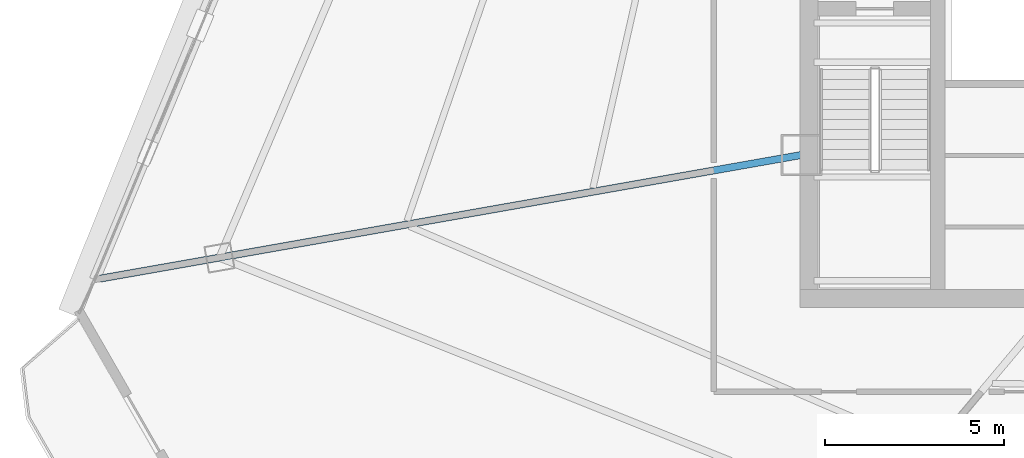
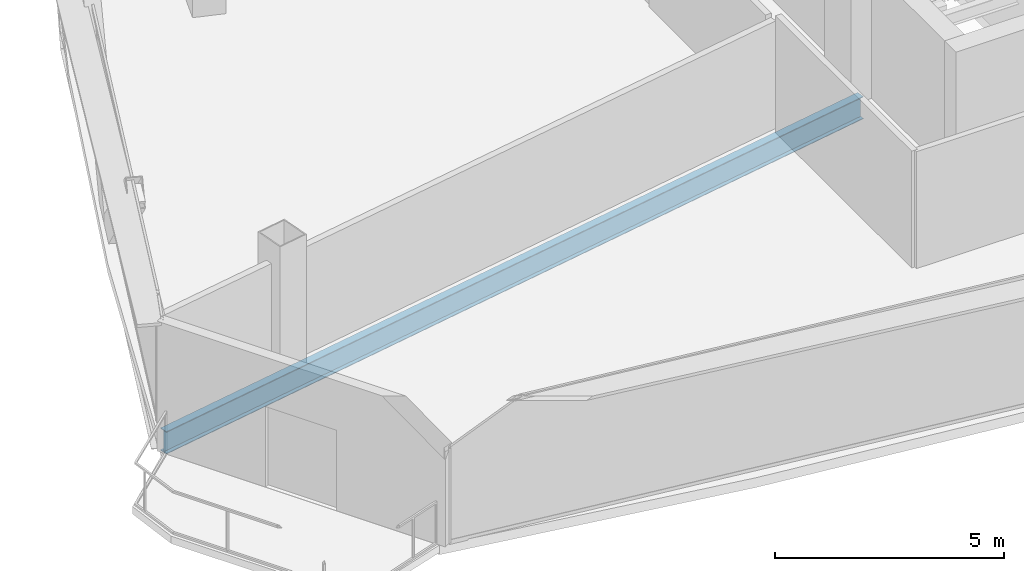
# One storey, part 5 of 37: 1 beam.
"""IFC4 building model written with IfcOpenShell, lengths in metres."""

import ifcopenshell
import ifcopenshell.guid

model = None  # the IFC model being written
_history = None  # IfcOwnerHistory: only IFC2X3 demands one
_inside = {}  # id of a spatial element -> (the spatial element, [elements in it])
_under = {}  # id of a project, library or spatial element -> (it, [spatial elements below it])
_declared = {}  # id of a project -> (the project, [libraries it declares])
_typed = {}  # id of a type object -> (the type object, [elements of that type])
_made_of = {}  # id of a material, layer set ... -> (it, [elements and type objects made of it])


def new_model(schema):
    """Start an empty IFC model of exactly this schema.

    Asked for "IFC4X3", IfcOpenShell would pick the latest addendum, in which some entities
    have other attributes; the version numbers below select the first issue.
    IFC2X3 requires an IfcOwnerHistory on every rooted entity: one is made here for all.
    """
    global model, _history
    if schema == "IFC4X3":
        model = ifcopenshell.file(schema_version=(4, 3, 0, 0))
    else:
        model = ifcopenshell.file(schema=schema)
    _inside.clear()
    _under.clear()
    _declared.clear()
    _typed.clear()
    _made_of.clear()
    _history = None
    if model.schema == "IFC2X3":
        org = make("IfcOrganization", Name="unknown")
        user = make(
            "IfcPersonAndOrganization",
            ThePerson=make("IfcPerson", FamilyName="unknown"),
            TheOrganization=org,
        )
        app = make(
            "IfcApplication",
            ApplicationDeveloper=org,
            Version="unknown",
            ApplicationFullName="unknown",
            ApplicationIdentifier="unknown",
        )
        _history = make(
            "IfcOwnerHistory",
            OwningUser=user,
            OwningApplication=app,
            ChangeAction="ADDED",
            CreationDate=0,
        )
    return model


def make(cls, **values):
    """One entity of the class cls with the attributes given. An attribute that is None is left unset."""
    return model.create_entity(
        cls, **{name: value for name, value in values.items() if value is not None}
    )


def rooted(cls, **values):
    """An entity with a GlobalId (a new one), such as an element, a storey or a relation."""
    return make(cls, GlobalId=ifcopenshell.guid.new(), OwnerHistory=_history, **values)


def si_unit(unit_type, name, prefix=None):
    """IfcSIUnit, for example si_unit("LENGTHUNIT", "METRE", prefix="MILLI")."""
    return make("IfcSIUnit", UnitType=unit_type, Prefix=prefix, Name=name)


def assignment(units):
    """IfcUnitAssignment: the units of a project."""
    return None if units is None else make("IfcUnitAssignment", Units=units)


def point(xyz):
    """IfcCartesianPoint."""
    return None if xyz is None else make("IfcCartesianPoint", Coordinates=xyz)


def direction(xyz):
    """IfcDirection."""
    return None if xyz is None else make("IfcDirection", DirectionRatios=xyz)


def frame(location, z_axis=None, x_axis=None):
    """IfcAxis2Placement3D, a coordinate frame: its origin and axes. An axis left out is left unset."""
    return make(
        "IfcAxis2Placement3D",
        Location=point(location),
        Axis=direction(z_axis),
        RefDirection=direction(x_axis),
    )


def frame_2d(location, x_axis=None):
    """IfcAxis2Placement2D, a coordinate frame in the plane: its origin and x axis."""
    return make(
        "IfcAxis2Placement2D", Location=point(location), RefDirection=direction(x_axis)
    )


def origin():
    """The frame at (0, 0, 0) with its axes left unset."""
    return frame((0.0, 0.0, 0.0))


def origin_2d():
    """The frame at (0, 0) in the plane with its x axis left unset."""
    return frame_2d((0.0, 0.0))


def place(relative_to, where):
    """IfcLocalPlacement: puts the frame where relative to a parent placement (None: the world)."""
    return make(
        "IfcLocalPlacement", PlacementRelTo=relative_to, RelativePlacement=where
    )


def context(
    kind, dimensions, precision=None, world=None, true_north=None, identifier=None
):
    """IfcGeometricRepresentationContext, for example the 3D "Model" context."""
    return make(
        "IfcGeometricRepresentationContext",
        ContextIdentifier=identifier,
        ContextType=kind,
        CoordinateSpaceDimension=dimensions,
        Precision=precision,
        WorldCoordinateSystem=world,
        TrueNorth=true_north,
    )


def subcontext(parent, identifier, kind, view, scale=None):
    """IfcGeometricRepresentationSubContext, for example "Body" below "Model"."""
    return make(
        "IfcGeometricRepresentationSubContext",
        ContextIdentifier=identifier,
        ContextType=kind,
        ParentContext=parent,
        TargetScale=scale,
        TargetView=view,
    )


def project(units=None, contexts=None):
    """IfcProject with its units and contexts."""
    return rooted(
        "IfcProject",
        Name="project",
        RepresentationContexts=contexts,
        UnitsInContext=assignment(units),
    )


def spatial(cls, under=None, at=None, **own):
    """A site, building, storey or space (cls), placed at a placement, below another one or the project."""
    s = rooted(cls, ObjectPlacement=at, **own)
    if under is not None:
        _under.setdefault(under.id(), (under, []))[1].append(s)
    return s


def profile(cls, at=None, kind="AREA", **sizes):
    """A parametric profile (cls). Its sizes go by their IFC names, for example OverallWidth=200.0."""
    return make(cls, ProfileType=kind, Position=at, **sizes)


def i_section(**sizes):
    """IfcIShapeProfileDef."""
    return profile("IfcIShapeProfileDef", **sizes)


def extrude(swept, where, along, depth):
    """IfcExtrudedAreaSolid: the profile swept, set in the frame where, extruded along a direction by depth."""
    return make(
        "IfcExtrudedAreaSolid",
        SweptArea=swept,
        Position=where,
        ExtrudedDirection=direction(along),
        Depth=depth,
    )


def shape(context_of_items, identifier, shape_type, items):
    """IfcShapeRepresentation: the items that make up one representation, for example the "Body"."""
    return make(
        "IfcShapeRepresentation",
        ContextOfItems=context_of_items,
        RepresentationIdentifier=identifier,
        RepresentationType=shape_type,
        Items=items,
    )


def source(mapping_origin, context_of_items, identifier, shape_type, items):
    """IfcRepresentationMap: a shape defined once, which mapped items show again and again."""
    return make(
        "IfcRepresentationMap",
        MappingOrigin=mapping_origin,
        MappedRepresentation=shape(context_of_items, identifier, shape_type, items),
    )


def transform(
    local_origin,
    x_axis=None,
    y_axis=None,
    z_axis=None,
    scale=None,
    scale2=None,
    scale3=None,
    uniform=True,
):
    """IfcCartesianTransformationOperator3D, or its non-uniform kind. x_axis, y_axis, z_axis: its Axis1, 2, 3."""
    if uniform:
        return make(
            "IfcCartesianTransformationOperator3D",
            Axis1=direction(x_axis),
            Axis2=direction(y_axis),
            LocalOrigin=point(local_origin),
            Scale=scale,
            Axis3=direction(z_axis),
        )
    return make(
        "IfcCartesianTransformationOperator3DnonUniform",
        Axis1=direction(x_axis),
        Axis2=direction(y_axis),
        LocalOrigin=point(local_origin),
        Scale=scale,
        Axis3=direction(z_axis),
        Scale2=scale2,
        Scale3=scale3,
    )


def mapped(mapping_source, mapping_target):
    """IfcMappedItem: shows the shape of a source again, moved by a transform."""
    return make(
        "IfcMappedItem", MappingSource=mapping_source, MappingTarget=mapping_target
    )


def material(Name=None, Category=None):
    """IfcMaterial."""
    return make("IfcMaterial", Name=Name, Category=Category)


def material_profile(
    of_material, cross_section, Name=None, Category=None, Priority=None
):
    """IfcMaterialProfile: a cross section and its material."""
    return make(
        "IfcMaterialProfile",
        Name=Name,
        Material=of_material,
        Profile=cross_section,
        Priority=Priority,
        Category=Category,
    )


def profile_set(profiles, Name=None, composite=None):
    """IfcMaterialProfileSet."""
    return make(
        "IfcMaterialProfileSet",
        Name=Name,
        MaterialProfiles=profiles,
        CompositeProfile=composite,
    )


def made_of(thing, what):
    """Note that an element or type object is made of a material, layer set ...; save() writes the relation."""
    if what is not None:
        _made_of.setdefault(what.id(), (what, []))[1].append(thing)
    return thing


def type_object(cls, material=None, **own):
    """A type object (cls), such as IfcWallType, which elements share."""
    return made_of(rooted(cls, **own), material)


def element(
    cls,
    number,
    at=None,
    inside=None,
    cuts=None,
    type_object=None,
    material=None,
    context=None,
    identifier="Body",
    shape_type=None,
    held_by="IfcProductDefinitionShape",
    body=None,
    shapes=None,
    **own,
):
    """One element of the class cls, such as IfcWall. Its Tag is "e" and its number.

    at: its placement. inside: the storey or other place that contains it. cuts: it is an
    opening in that element (IfcRelVoidsElement). A single representation is given by context,
    identifier, shape_type and body (its items); several are given by shapes. held_by: the class
    of the entity that holds the representations. save() writes the other relations.
    """
    e = rooted(cls, Tag="e%d" % number, ObjectPlacement=at, **own)
    if body is not None:
        shapes = [shape(context, identifier, shape_type, body)]
    if shapes is not None:
        e.Representation = make(held_by, Representations=shapes)
    if inside is not None:
        _inside.setdefault(inside.id(), (inside, []))[1].append(e)
    if cuts is not None:
        rooted(
            "IfcRelVoidsElement", RelatingBuildingElement=cuts, RelatedOpeningElement=e
        )
    if type_object is not None:
        _typed.setdefault(type_object.id(), (type_object, []))[1].append(e)
    return made_of(e, material)


def aggregate(whole, parts):
    """IfcRelAggregates: a whole, such as a stair, and the parts it consists of."""
    return rooted("IfcRelAggregates", RelatingObject=whole, RelatedObjects=parts)


def save(model, path):
    """Write the relations noted so far, then the file.

    IfcRelAggregates (storeys below a building ...), IfcRelContainedInSpatialStructure (elements
    in a storey), IfcRelDefinesByType, IfcRelAssociatesMaterial and IfcRelDeclares: one each for
    every whole, place, type object, material and project.
    """
    for whole, parts in _under.values():
        aggregate(whole, parts)
    for where, things in _inside.values():
        rooted(
            "IfcRelContainedInSpatialStructure",
            RelatedElements=things,
            RelatingStructure=where,
        )
    for kind, things in _typed.values():
        rooted("IfcRelDefinesByType", RelatedObjects=things, RelatingType=kind)
    for what, things in _made_of.values():
        rooted("IfcRelAssociatesMaterial", RelatedObjects=things, RelatingMaterial=what)
    for by, libraries in _declared.values():
        rooted("IfcRelDeclares", RelatingContext=by, RelatedDefinitions=libraries)
    model.write(path)


model = new_model("IFC4")

# Units and contexts
model_context = context("Model", 3, precision=1e-05, world=origin(), true_north=direction((0.0, 1.0)))
body_context = subcontext(model_context, "Body", "Model", "MODEL_VIEW")
ifc_project = project(units=[si_unit("LENGTHUNIT", "METRE"), si_unit("AREAUNIT", "SQUARE_METRE"), si_unit("VOLUMEUNIT", "CUBIC_METRE"), si_unit("PLANEANGLEUNIT", "RADIAN"), si_unit("MASSUNIT", "GRAM", prefix="KILO"), si_unit("THERMODYNAMICTEMPERATUREUNIT", "KELVIN"), si_unit("POWERUNIT", "WATT")], contexts=[model_context])

# Site, building, storey
site_placement = place(None, origin())
site = spatial("IfcSite", under=ifc_project, at=site_placement, CompositionType="ELEMENT")
building_placement = place(site_placement, origin())
building = spatial("IfcBuilding", under=site, at=building_placement, Name="Yunzhuo Pagoda Commons", CompositionType="ELEMENT")
storey_placement = place(building_placement, frame((0.0, 0.0, 281.2900390625)))
storey = spatial("IfcBuildingStorey", under=building, at=storey_placement, Name="L70", CompositionType="ELEMENT", Elevation=281.2900390625)

# Beam
ifc_material = material(Name="Structural steel Q355B", Category="steel")
ifc_material_profile = material_profile(ifc_material, i_section(OverallWidth=0.199951171875, OverallDepth=0.60009765625, WebThickness=0.010986328125, FlangeThickness=0.01708984375, at=origin_2d()), Name="Structural steel Q355B")
ifc_profile_set = profile_set([ifc_material_profile], Name="Structural steel Q355B")
beam_type = type_object("IfcBeamType", Name="B-RG3 Beam HN 600x200x11x17", PredefinedType="BEAM", material=ifc_profile_set)
shared_shape = source(origin(), body_context, "Body", "SweptSolid", [
    extrude(i_section(OverallWidth=0.199951171875, OverallDepth=0.60009765625, WebThickness=0.010986328125, FlangeThickness=0.01708984375, at=origin_2d()), origin(), (0.0, 0.0, 1.0), 19.89990234375),
])
beam_placement = place(storey_placement, frame((16.00244140625, 28.058349609375, -0.559814453125), z_axis=(0.984812199238, 0.173622959981, 0.0), x_axis=(-0.173622959981, 0.984812199238, 0.0)))
element("IfcBeam", 1, at=beam_placement, inside=storey, type_object=beam_type, Name="L70 radial floor girder F3C4", PredefinedType="BEAM", context=body_context, shape_type="MappedRepresentation", body=[
    mapped(shared_shape, transform((0.0, 0.0, 0.0), scale=1.0)),
])

save(model, "model.ifc")
